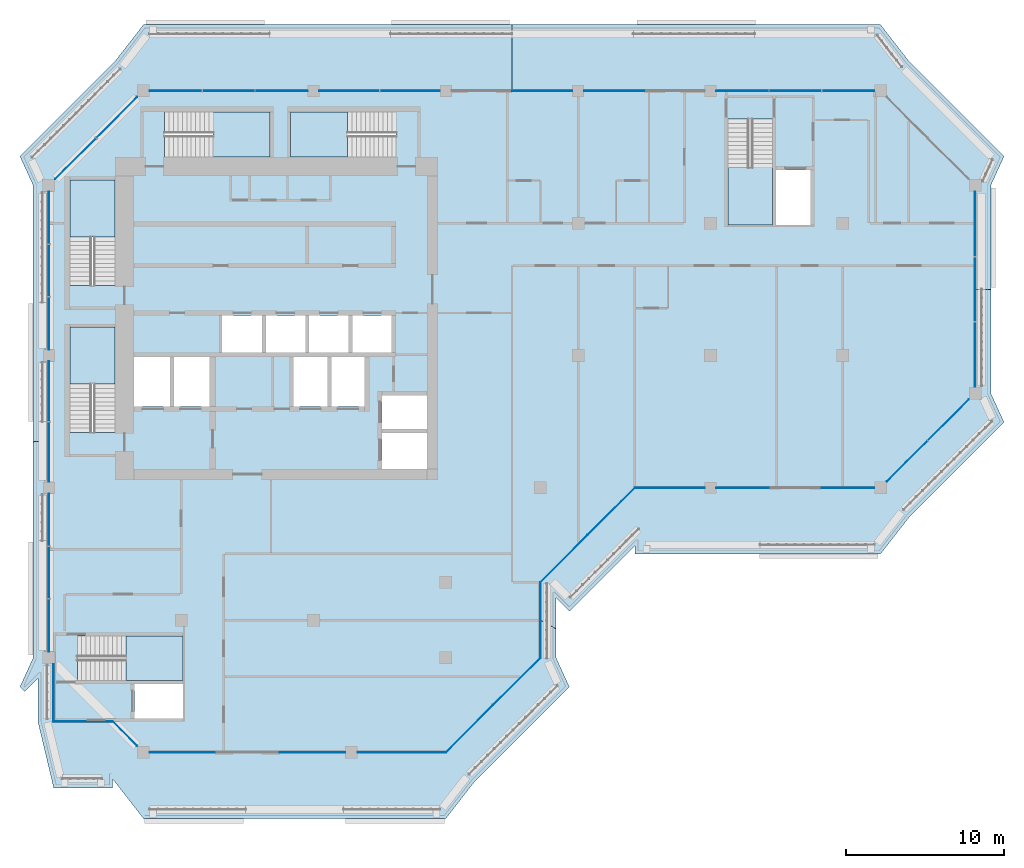
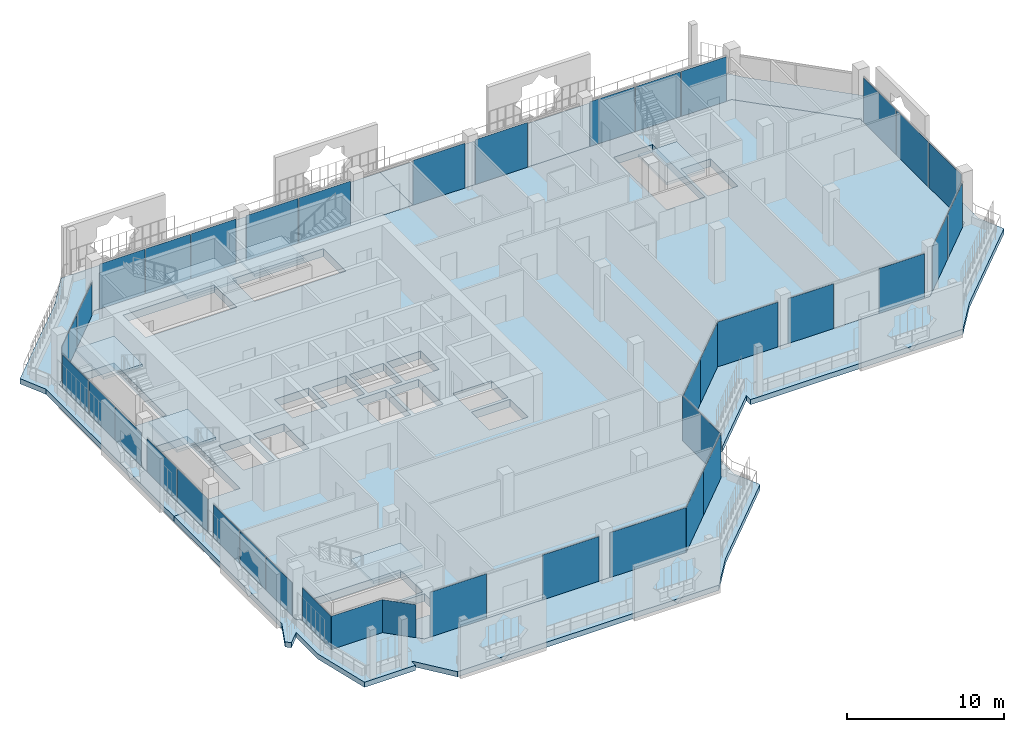
# One storey, part 9 of 21: 39 plates, 11 slabs, 19 elements without a shape of their own.
"""IFC4 building model written with IfcOpenShell, lengths in metres."""

from ifc_helpers import new_model, si_unit, direction, frame, origin, origin_2d, place, context, subcontext, project, spatial, polyline, rectangle, outline, extrude, material, layer, layer_set, type_object, element, aggregate, save


model = new_model("IFC4")

# Units and contexts
model_context = context("Model", 3, precision=1e-05, world=origin(), true_north=direction((0.0, 1.0)))
body_context = subcontext(model_context, "Body", "Model", "MODEL_VIEW")
ifc_project = project(units=[si_unit("LENGTHUNIT", "METRE"), si_unit("AREAUNIT", "SQUARE_METRE"), si_unit("VOLUMEUNIT", "CUBIC_METRE"), si_unit("PLANEANGLEUNIT", "RADIAN"), si_unit("MASSUNIT", "GRAM", prefix="KILO")], contexts=[model_context])

# Site, building, storey
site_placement = place(None, origin())
site = spatial("IfcSite", under=ifc_project, at=site_placement, CompositionType="ELEMENT")
building_placement = place(site_placement, origin())
building = spatial("IfcBuilding", under=site, at=building_placement, Name="Kawkab Arch Medical Tower", CompositionType="ELEMENT")
storey_placement = place(building_placement, frame((0.0, 0.0, 307.0)))
storey = spatial("IfcBuildingStorey", under=building, at=storey_placement, Name="L71", CompositionType="ELEMENT", Elevation=307.0)

# Curtain wall, plates
ifc_material_1 = material(Name="Bronze anodised aluminium curtain wall frame", Category="aluminium")
ifc_layer_1 = layer(ifc_material_1, 0.159912109375)
ifc_layer_set_1 = layer_set([ifc_layer_1], Name="Bronze anodised aluminium curtain wall frame")
curtain_wall_type_1 = type_object("IfcCurtainWallType", Name="CW1 ward curtain wall", PredefinedType="NOTDEFINED", material=ifc_layer_set_1)
placement_1 = place(storey_placement, origin())
curtain_wall_1 = element("IfcCurtainWall", 1, at=placement_1, inside=storey, type_object=curtain_wall_type_1, Name="CW1 Ward curtain wall R02", PredefinedType="NOTDEFINED")
ifc_material_2 = material(Name="Tinted insulating glass, bronze low-e coating", Category="glass")
ifc_layer_2 = layer(ifc_material_2, 0.031982421875)
ifc_layer_set_2 = layer_set([ifc_layer_2], Name="Tinted insulating glass, bronze low-e coating")
plate_type_1 = type_object("IfcPlateType", Name="CW1 glazing unit 32", PredefinedType="CURTAIN_PANEL", material=ifc_layer_set_2)
plate_1_placement = place(storey_placement, frame((0.0, -8.055908203125, 0.0), z_axis=(0.0, 0.0, 1.0), x_axis=(0.0, -1.0, 0.0)))
plate_1 = element("IfcPlate", 2, at=plate_1_placement, type_object=plate_type_1, Name="CW1 glazing unit 1.1", PredefinedType="CURTAIN_PANEL", context=body_context, shape_type="SweptSolid", body=[
    extrude(rectangle(XDim=3.311767578125, YDim=0.031982421875, at=origin_2d()), origin(), (0.0, 0.0, 1.0), 2.580078125),
])
plate_2_placement = place(storey_placement, frame((0.0, -11.41259765625, 0.0), z_axis=(0.0, 0.0, 1.0), x_axis=(0.0, -1.0, 0.0)))
plate_2 = element("IfcPlate", 3, at=plate_2_placement, type_object=plate_type_1, Name="CW1 glazing unit 1.2", PredefinedType="CURTAIN_PANEL", context=body_context, shape_type="SweptSolid", body=[
    extrude(rectangle(XDim=3.28173828125, YDim=0.031982421875, at=origin_2d()), origin(), (0.0, 0.0, 1.0), 2.580078125),
])
plate_3_placement = place(storey_placement, frame((0.0, -14.769287109375, 0.0), z_axis=(0.0, 0.0, 1.0), x_axis=(0.0, -1.0, 0.0)))
plate_3 = element("IfcPlate", 4, at=plate_3_placement, type_object=plate_type_1, Name="CW1 glazing unit 1.3", PredefinedType="CURTAIN_PANEL", context=body_context, shape_type="SweptSolid", body=[
    extrude(rectangle(XDim=3.311767578125, YDim=0.031982421875, at=origin_2d()), origin(), (0.0, 0.0, 1.0), 2.580078125),
])
plate_4_placement = place(storey_placement, frame((0.0, -19.072509765625, 0.0), z_axis=(0.0, 0.0, 1.0), x_axis=(0.0, -1.0, 0.0)))
plate_4 = element("IfcPlate", 5, at=plate_4_placement, type_object=plate_type_1, Name="CW1 glazing unit 2.1", PredefinedType="CURTAIN_PANEL", context=body_context, shape_type="SweptSolid", body=[
    extrude(rectangle(XDim=3.794921875, YDim=0.031982421875, at=origin_2d()), origin(), (0.0, 0.0, 1.0), 2.580078125),
])
plate_5_placement = place(storey_placement, frame((0.0, -22.927490234375, 0.0), z_axis=(0.0, 0.0, 1.0), x_axis=(0.0, -1.0, 0.0)))
plate_5 = element("IfcPlate", 6, at=plate_5_placement, type_object=plate_type_1, Name="CW1 glazing unit 2.2", PredefinedType="CURTAIN_PANEL", context=body_context, shape_type="SweptSolid", body=[
    extrude(rectangle(XDim=3.794921875, YDim=0.031982421875, at=origin_2d()), origin(), (0.0, 0.0, 1.0), 2.580078125),
])
plate_6_placement = place(storey_placement, frame((0.0, -27.230712890625, 0.0), z_axis=(0.0, 0.0, 1.0), x_axis=(0.0, -1.0, 0.0)))
plate_6 = element("IfcPlate", 7, at=plate_6_placement, type_object=plate_type_1, Name="CW1 glazing unit 3.1", PredefinedType="CURTAIN_PANEL", context=body_context, shape_type="SweptSolid", body=[
    extrude(rectangle(XDim=3.311767578125, YDim=0.031982421875, at=origin_2d()), origin(), (0.0, 0.0, 1.0), 2.580078125),
])
plate_7_placement = place(storey_placement, frame((0.0, -30.58740234375, 0.0), z_axis=(0.0, 0.0, 1.0), x_axis=(0.0, -1.0, 0.0)))
plate_7 = element("IfcPlate", 8, at=plate_7_placement, type_object=plate_type_1, Name="CW1 glazing unit 3.2", PredefinedType="CURTAIN_PANEL", context=body_context, shape_type="SweptSolid", body=[
    extrude(rectangle(XDim=3.28173828125, YDim=0.031982421875, at=origin_2d()), origin(), (0.0, 0.0, 1.0), 2.580078125),
])
plate_8_placement = place(storey_placement, frame((0.0, -33.944091796875, 0.0), z_axis=(0.0, 0.0, 1.0), x_axis=(0.0, -1.0, 0.0)))
plate_8 = element("IfcPlate", 9, at=plate_8_placement, type_object=plate_type_1, Name="CW1 glazing unit 3.3", PredefinedType="CURTAIN_PANEL", context=body_context, shape_type="SweptSolid", body=[
    extrude(rectangle(XDim=3.311767578125, YDim=0.031982421875, at=origin_2d()), origin(), (0.0, 0.0, 1.0), 2.580078125),
])
aggregate(curtain_wall_1, [plate_1, plate_2, plate_3, plate_4, plate_5, plate_6, plate_7, plate_8])

# Curtain wall, plate
curtain_wall_2 = element("IfcCurtainWall", 10, at=placement_1, inside=storey, type_object=curtain_wall_type_1, Name="CW1 Ward curtain wall R04", PredefinedType="NOTDEFINED")
plate_9_placement = place(storey_placement, frame((0.300048828125, -38.22509765625, 0.0), z_axis=(0.0, 0.0, 1.0), x_axis=(0.0, -1.0, 0.0)))
plate_9 = element("IfcPlate", 11, at=plate_9_placement, type_object=plate_type_1, Name="CW1 glazing unit 1.1", PredefinedType="CURTAIN_PANEL", context=body_context, shape_type="SweptSolid", body=[
    extrude(rectangle(XDim=3.64990234375, YDim=0.031982421875, at=origin_2d()), origin(), (0.0, 0.0, 1.0), 2.580078125),
])
aggregate(curtain_wall_2, [plate_9])

curtain_wall_3 = element("IfcCurtainWall", 12, at=placement_1, inside=storey, type_object=curtain_wall_type_1, Name="CW1 Ward curtain wall R05", PredefinedType="NOTDEFINED")
plate_10_placement = place(storey_placement, frame((2.175048828125, -40.050048828125, 0.0), z_axis=(0.0, 0.0, 1.0), x_axis=(1.0, 0.0, 0.0)))
plate_10 = element("IfcPlate", 13, at=plate_10_placement, type_object=plate_type_1, Name="CW1 glazing unit 1.1", PredefinedType="CURTAIN_PANEL", context=body_context, shape_type="SweptSolid", body=[
    extrude(rectangle(XDim=3.75, YDim=0.031982421875, at=origin_2d()), origin(), (0.0, 0.0, 1.0), 2.580078125),
])
aggregate(curtain_wall_3, [plate_10])

# Curtain wall, plates
curtain_wall_4 = element("IfcCurtainWall", 14, at=placement_1, inside=storey, type_object=curtain_wall_type_1, Name="CW1 Ward curtain wall R07", PredefinedType="NOTDEFINED")
plate_11_placement = place(storey_placement, frame((8.466552734375, -42.0, 0.0), z_axis=(0.0, 0.0, 1.0), x_axis=(1.0, 0.0, 0.0)))
plate_11 = element("IfcPlate", 15, at=plate_11_placement, type_object=plate_type_1, Name="CW1 glazing unit 1.1", PredefinedType="CURTAIN_PANEL", context=body_context, shape_type="SweptSolid", body=[
    extrude(rectangle(XDim=4.13330078125, YDim=0.031982421875, at=origin_2d()), origin(), (0.0, 0.0, 1.0), 3.47998046875),
])
plate_12_placement = place(storey_placement, frame((16.7333984375, -42.0, 0.0), z_axis=(0.0, 0.0, 1.0), x_axis=(1.0, 0.0, 0.0)))
plate_12 = element("IfcPlate", 16, at=plate_12_placement, type_object=plate_type_1, Name="CW1 glazing unit 1.3", PredefinedType="CURTAIN_PANEL", context=body_context, shape_type="SweptSolid", body=[
    extrude(rectangle(XDim=4.13330078125, YDim=0.031982421875, at=origin_2d()), origin(), (0.0, 0.0, 1.0), 3.47998046875),
])
plate_13_placement = place(storey_placement, frame((22.39990234375, -42.0, 0.0), z_axis=(0.0, 0.0, 1.0), x_axis=(1.0, 0.0, 0.0)))
plate_13 = element("IfcPlate", 17, at=plate_13_placement, type_object=plate_type_1, Name="CW1 glazing unit 2.1", PredefinedType="CURTAIN_PANEL", context=body_context, shape_type="SweptSolid", body=[
    extrude(rectangle(XDim=5.60009765625, YDim=0.031982421875, at=origin_2d()), origin(), (0.0, 0.0, 1.0), 3.47998046875),
])
aggregate(curtain_wall_4, [plate_11, plate_12, plate_13])

# Curtain wall, plate
curtain_wall_5 = element("IfcCurtainWall", 18, at=placement_1, inside=storey, type_object=curtain_wall_type_1, Name="CW1 Ward curtain wall R09", PredefinedType="NOTDEFINED")
plate_14_placement = place(storey_placement, frame((31.199951171875, -33.60009765625, 0.0), z_axis=(0.0, 0.0, 1.0), x_axis=(0.0, 1.0, 0.0)))
plate_14 = element("IfcPlate", 19, at=plate_14_placement, type_object=plate_type_1, Name="CW1 glazing unit 1.1", PredefinedType="CURTAIN_PANEL", context=body_context, shape_type="SweptSolid", body=[
    extrude(rectangle(XDim=4.800048828125, YDim=0.031982421875, at=origin_2d()), origin(), (0.0, 0.0, 1.0), 3.47998046875),
])
aggregate(curtain_wall_5, [plate_14])

# Curtain wall, plates
curtain_wall_6 = element("IfcCurtainWall", 20, at=placement_1, inside=storey, type_object=curtain_wall_type_1, Name="CW1 Ward curtain wall R11", PredefinedType="NOTDEFINED")
plate_15_placement = place(storey_placement, frame((39.41259765625, -25.199951171875, 0.0), z_axis=(0.0, 0.0, 1.0), x_axis=(1.0, 0.0, 0.0)))
plate_15 = element("IfcPlate", 21, at=plate_15_placement, type_object=plate_type_1, Name="CW1 glazing unit 1.1", PredefinedType="CURTAIN_PANEL", context=body_context, shape_type="SweptSolid", body=[
    extrude(rectangle(XDim=4.425048828125, YDim=0.031982421875, at=origin_2d()), origin(), (0.0, 0.0, 1.0), 3.47998046875),
])
plate_16_placement = place(storey_placement, frame((44.0458984375, -25.199951171875, 0.0), z_axis=(0.0, 0.0, 1.0), x_axis=(1.0, 0.0, 0.0)))
plate_16 = element("IfcPlate", 22, at=plate_16_placement, type_object=plate_type_1, Name="CW1 glazing unit 2.1", PredefinedType="CURTAIN_PANEL", context=body_context, shape_type="SweptSolid", body=[
    extrude(rectangle(XDim=3.341552734375, YDim=0.031982421875, at=origin_2d()), origin(), (0.0, 0.0, 1.0), 3.47998046875),
])
plate_17_placement = place(storey_placement, frame((50.729248046875, -25.199951171875, 0.0), z_axis=(0.0, 0.0, 1.0), x_axis=(1.0, 0.0, 0.0)))
plate_17 = element("IfcPlate", 23, at=plate_17_placement, type_object=plate_type_1, Name="CW1 glazing unit 2.3", PredefinedType="CURTAIN_PANEL", context=body_context, shape_type="SweptSolid", body=[
    extrude(rectangle(XDim=3.341552734375, YDim=0.031982421875, at=origin_2d()), origin(), (0.0, 0.0, 1.0), 3.47998046875),
])
aggregate(curtain_wall_6, [plate_15, plate_16, plate_17])

curtain_wall_7 = element("IfcCurtainWall", 24, at=placement_1, inside=storey, type_object=curtain_wall_type_1, Name="CW1 Ward curtain wall R13", PredefinedType="NOTDEFINED")
plate_18_placement = place(storey_placement, frame((58.800048828125, -16.748291015625, 0.0), z_axis=(0.0, 0.0, 1.0), x_axis=(0.0, 1.0, 0.0)))
plate_18 = element("IfcPlate", 25, at=plate_18_placement, type_object=plate_type_1, Name="CW1 glazing unit 1.1", PredefinedType="CURTAIN_PANEL", context=body_context, shape_type="SweptSolid", body=[
    extrude(rectangle(XDim=4.103271484375, YDim=0.031982421875, at=origin_2d()), origin(), (0.0, 0.0, 1.0), 3.47998046875),
])
plate_19_placement = place(storey_placement, frame((58.800048828125, -12.60009765625, 0.0), z_axis=(0.0, 0.0, 1.0), x_axis=(0.0, 1.0, 0.0)))
plate_19 = element("IfcPlate", 26, at=plate_19_placement, type_object=plate_type_1, Name="CW1 glazing unit 1.2", PredefinedType="CURTAIN_PANEL", context=body_context, shape_type="SweptSolid", body=[
    extrude(rectangle(XDim=4.0732421875, YDim=0.031982421875, at=origin_2d()), origin(), (0.0, 0.0, 1.0), 3.47998046875),
])
plate_20_placement = place(storey_placement, frame((58.800048828125, -8.45166015625, 0.0), z_axis=(0.0, 0.0, 1.0), x_axis=(0.0, 1.0, 0.0)))
plate_20 = element("IfcPlate", 27, at=plate_20_placement, type_object=plate_type_1, Name="CW1 glazing unit 1.3", PredefinedType="CURTAIN_PANEL", context=body_context, shape_type="SweptSolid", body=[
    extrude(rectangle(XDim=4.103271484375, YDim=0.031982421875, at=origin_2d()), origin(), (0.0, 0.0, 1.0), 3.47998046875),
])
aggregate(curtain_wall_7, [plate_18, plate_19, plate_20])

curtain_wall_8 = element("IfcCurtainWall", 28, at=placement_1, inside=storey, type_object=curtain_wall_type_1, Name="CW1 Ward curtain wall R15", PredefinedType="NOTDEFINED")
plate_21_placement = place(storey_placement, frame((50.744140625, 0.0, 0.0), z_axis=(0.0, 0.0, 1.0), x_axis=(-1.0, 0.0, 0.0)))
plate_21 = element("IfcPlate", 29, at=plate_21_placement, type_object=plate_type_1, Name="CW1 glazing unit 1.1", PredefinedType="CURTAIN_PANEL", context=body_context, shape_type="SweptSolid", body=[
    extrude(rectangle(XDim=3.311767578125, YDim=0.031982421875, at=origin_2d()), origin(), (0.0, 0.0, 1.0), 3.47998046875),
])
plate_22_placement = place(storey_placement, frame((47.387451171875, 0.0, 0.0), z_axis=(0.0, 0.0, 1.0), x_axis=(-1.0, 0.0, 0.0)))
plate_22 = element("IfcPlate", 30, at=plate_22_placement, type_object=plate_type_1, Name="CW1 glazing unit 1.2", PredefinedType="CURTAIN_PANEL", context=body_context, shape_type="SweptSolid", body=[
    extrude(rectangle(XDim=3.28173828125, YDim=0.031982421875, at=origin_2d()), origin(), (0.0, 0.0, 1.0), 3.47998046875),
])
plate_23_placement = place(storey_placement, frame((44.03076171875, 0.0, 0.0), z_axis=(0.0, 0.0, 1.0), x_axis=(-1.0, 0.0, 0.0)))
plate_23 = element("IfcPlate", 31, at=plate_23_placement, type_object=plate_type_1, Name="CW1 glazing unit 1.3", PredefinedType="CURTAIN_PANEL", context=body_context, shape_type="SweptSolid", body=[
    extrude(rectangle(XDim=3.311767578125, YDim=0.031982421875, at=origin_2d()), origin(), (0.0, 0.0, 1.0), 3.47998046875),
])
plate_24_placement = place(storey_placement, frame((35.887451171875, 0.0, 0.0), z_axis=(0.0, 0.0, 1.0), x_axis=(-1.0, 0.0, 0.0)))
plate_24 = element("IfcPlate", 32, at=plate_24_placement, type_object=plate_type_1, Name="CW1 glazing unit 2.2", PredefinedType="CURTAIN_PANEL", context=body_context, shape_type="SweptSolid", body=[
    extrude(rectangle(XDim=3.824951171875, YDim=0.031982421875, at=origin_2d()), origin(), (0.0, 0.0, 1.0), 3.47998046875),
])
plate_25_placement = place(storey_placement, frame((31.3125, 0.0, 0.0), z_axis=(0.0, 0.0, 1.0), x_axis=(-1.0, 0.0, 0.0)))
plate_25 = element("IfcPlate", 33, at=plate_25_placement, type_object=plate_type_1, Name="CW1 glazing unit 3.1", PredefinedType="CURTAIN_PANEL", context=body_context, shape_type="SweptSolid", body=[
    extrude(rectangle(XDim=3.824951171875, YDim=0.031982421875, at=origin_2d()), origin(), (0.0, 0.0, 1.0), 3.47998046875),
])
plate_26_placement = place(storey_placement, frame((22.927490234375, 0.0, 0.0), z_axis=(0.0, 0.0, 1.0), x_axis=(-1.0, 0.0, 0.0)))
plate_26 = element("IfcPlate", 34, at=plate_26_placement, type_object=plate_type_1, Name="CW1 glazing unit 4.1", PredefinedType="CURTAIN_PANEL", context=body_context, shape_type="SweptSolid", body=[
    extrude(rectangle(XDim=3.794921875, YDim=0.031982421875, at=origin_2d()), origin(), (0.0, 0.0, 1.0), 3.47998046875),
])
plate_27_placement = place(storey_placement, frame((19.072509765625, 0.0, 0.0), z_axis=(0.0, 0.0, 1.0), x_axis=(-1.0, 0.0, 0.0)))
plate_27 = element("IfcPlate", 35, at=plate_27_placement, type_object=plate_type_1, Name="CW1 glazing unit 4.2", PredefinedType="CURTAIN_PANEL", context=body_context, shape_type="SweptSolid", body=[
    extrude(rectangle(XDim=3.794921875, YDim=0.031982421875, at=origin_2d()), origin(), (0.0, 0.0, 1.0), 3.47998046875),
])
plate_28_placement = place(storey_placement, frame((14.769287109375, 0.0, 0.0), z_axis=(0.0, 0.0, 1.0), x_axis=(-1.0, 0.0, 0.0)))
plate_28 = element("IfcPlate", 36, at=plate_28_placement, type_object=plate_type_1, Name="CW1 glazing unit 5.1", PredefinedType="CURTAIN_PANEL", context=body_context, shape_type="SweptSolid", body=[
    extrude(rectangle(XDim=3.311767578125, YDim=0.031982421875, at=origin_2d()), origin(), (0.0, 0.0, 1.0), 3.47998046875),
])
plate_29_placement = place(storey_placement, frame((11.41259765625, 0.0, 0.0), z_axis=(0.0, 0.0, 1.0), x_axis=(-1.0, 0.0, 0.0)))
plate_29 = element("IfcPlate", 37, at=plate_29_placement, type_object=plate_type_1, Name="CW1 glazing unit 5.2", PredefinedType="CURTAIN_PANEL", context=body_context, shape_type="SweptSolid", body=[
    extrude(rectangle(XDim=3.28173828125, YDim=0.031982421875, at=origin_2d()), origin(), (0.0, 0.0, 1.0), 3.47998046875),
])
plate_30_placement = place(storey_placement, frame((8.055908203125, 0.0, 0.0), z_axis=(0.0, 0.0, 1.0), x_axis=(-1.0, 0.0, 0.0)))
plate_30 = element("IfcPlate", 38, at=plate_30_placement, type_object=plate_type_1, Name="CW1 glazing unit 5.3", PredefinedType="CURTAIN_PANEL", context=body_context, shape_type="SweptSolid", body=[
    extrude(rectangle(XDim=3.311767578125, YDim=0.031982421875, at=origin_2d()), origin(), (0.0, 0.0, 1.0), 3.47998046875),
])
aggregate(curtain_wall_8, [plate_21, plate_22, plate_23, plate_24, plate_25, plate_26, plate_27, plate_28, plate_29, plate_30])

ifc_material_3 = material(Name="Bronze anodised aluminium curtain wall frame", Category="aluminium")
ifc_layer_3 = layer(ifc_material_3, 0.159912109375)
ifc_layer_set_3 = layer_set([ifc_layer_3], Name="Bronze anodised aluminium curtain wall frame")
curtain_wall_type_2 = type_object("IfcCurtainWallType", Name="CW2 chamfer curtain wall", PredefinedType="NOTDEFINED", material=ifc_layer_set_3)
curtain_wall_9 = element("IfcCurtainWall", 39, at=placement_1, inside=storey, type_object=curtain_wall_type_2, Name="CW2 Chamfer curtain wall R01", PredefinedType="NOTDEFINED")
ifc_material_4 = material(Name="Tinted insulating glass, bronze low-e coating", Category="glass")
ifc_layer_4 = layer(ifc_material_4, 0.031982421875)
ifc_layer_set_4 = layer_set([ifc_layer_4], Name="Tinted insulating glass, bronze low-e coating")
plate_type_2 = type_object("IfcPlateType", Name="CW2 glazing unit 32", PredefinedType="CURTAIN_PANEL", material=ifc_layer_set_4)
plate_31_placement = place(storey_placement, frame((4.310546875, -1.689453125, 0.0), z_axis=(0.0, 0.0, 1.0), x_axis=(-0.707106781187, -0.707106781187, 0.0)))
plate_31 = element("IfcPlate", 40, at=plate_31_placement, type_object=plate_type_2, Name="CW2 glazing unit 1.1", PredefinedType="CURTAIN_PANEL", context=body_context, shape_type="SweptSolid", body=[
    extrude(rectangle(XDim=3.64697265625, YDim=0.031982421875, at=origin_2d()), origin(), (0.0, 0.0, 1.0), 2.56005859375),
])
plate_32_placement = place(storey_placement, frame((1.689453125, -4.310546875, 0.0), z_axis=(0.0, 0.0, 1.0), x_axis=(-0.707106781187, -0.707106781187, 0.0)))
plate_32 = element("IfcPlate", 41, at=plate_32_placement, type_object=plate_type_2, Name="CW2 glazing unit 1.2", PredefinedType="CURTAIN_PANEL", context=body_context, shape_type="SweptSolid", body=[
    extrude(rectangle(XDim=3.64697265625, YDim=0.031982421875, at=origin_2d()), origin(), (0.0, 0.0, 1.0), 2.56005859375),
])
aggregate(curtain_wall_9, [plate_31, plate_32])

# Curtain wall, plate
curtain_wall_10 = element("IfcCurtainWall", 42, at=placement_1, inside=storey, type_object=curtain_wall_type_2, Name="CW2 Chamfer curtain wall R06", PredefinedType="NOTDEFINED")
plate_33_placement = place(storey_placement, frame((4.824951171875, -40.824951171875, 0.0), z_axis=(0.0, 0.0, 1.0), x_axis=(0.707106781187, -0.707106781187, 0.0)))
plate_33 = element("IfcPlate", 43, at=plate_33_placement, type_object=plate_type_2, Name="CW2 glazing unit 1.1", PredefinedType="CURTAIN_PANEL", context=body_context, shape_type="SweptSolid", body=[
    extrude(rectangle(XDim=2.192138671875, YDim=0.031982421875, at=origin_2d()), origin(), (0.0, 0.0, 1.0), 2.56005859375),
])
aggregate(curtain_wall_10, [plate_33])

# Curtain wall, plates
curtain_wall_11 = element("IfcCurtainWall", 44, at=placement_1, inside=storey, type_object=curtain_wall_type_2, Name="CW2 Chamfer curtain wall R08", PredefinedType="NOTDEFINED")
plate_34_placement = place(storey_placement, frame((26.699951171875, -40.5, 0.0), z_axis=(0.0, 0.0, 1.0), x_axis=(0.707106781187, 0.707106781187, 0.0)))
plate_34 = element("IfcPlate", 45, at=plate_34_placement, type_object=plate_type_2, Name="CW2 glazing unit 1.1", PredefinedType="CURTAIN_PANEL", context=body_context, shape_type="SweptSolid", body=[
    extrude(rectangle(XDim=4.24267578125, YDim=0.031982421875, at=origin_2d()), origin(), (0.0, 0.0, 1.0), 3.4599609375),
])
plate_35_placement = place(storey_placement, frame((29.699951171875, -37.5, 0.0), z_axis=(0.0, 0.0, 1.0), x_axis=(0.707106781187, 0.707106781187, 0.0)))
plate_35 = element("IfcPlate", 46, at=plate_35_placement, type_object=plate_type_2, Name="CW2 glazing unit 2.1", PredefinedType="CURTAIN_PANEL", context=body_context, shape_type="SweptSolid", body=[
    extrude(rectangle(XDim=4.24267578125, YDim=0.031982421875, at=origin_2d()), origin(), (0.0, 0.0, 1.0), 3.4599609375),
])
aggregate(curtain_wall_11, [plate_34, plate_35])

curtain_wall_12 = element("IfcCurtainWall", 47, at=placement_1, inside=storey, type_object=curtain_wall_type_2, Name="CW2 Chamfer curtain wall R10", PredefinedType="NOTDEFINED")
plate_36_placement = place(storey_placement, frame((32.699951171875, -29.699951171875, 0.0), z_axis=(0.0, 0.0, 1.0), x_axis=(0.707106781187, 0.707106781187, 0.0)))
plate_36 = element("IfcPlate", 48, at=plate_36_placement, type_object=plate_type_2, Name="CW2 glazing unit 1.1", PredefinedType="CURTAIN_PANEL", context=body_context, shape_type="SweptSolid", body=[
    extrude(rectangle(XDim=4.24267578125, YDim=0.031982421875, at=origin_2d()), origin(), (0.0, 0.0, 1.0), 3.4599609375),
])
plate_37_placement = place(storey_placement, frame((35.699951171875, -26.699951171875, 0.0), z_axis=(0.0, 0.0, 1.0), x_axis=(0.707106781187, 0.707106781187, 0.0)))
plate_37 = element("IfcPlate", 49, at=plate_37_placement, type_object=plate_type_2, Name="CW2 glazing unit 2.1", PredefinedType="CURTAIN_PANEL", context=body_context, shape_type="SweptSolid", body=[
    extrude(rectangle(XDim=4.24267578125, YDim=0.031982421875, at=origin_2d()), origin(), (0.0, 0.0, 1.0), 3.4599609375),
])
aggregate(curtain_wall_12, [plate_36, plate_37])

curtain_wall_13 = element("IfcCurtainWall", 50, at=placement_1, inside=storey, type_object=curtain_wall_type_2, Name="CW2 Chamfer curtain wall R12", PredefinedType="NOTDEFINED")
plate_38_placement = place(storey_placement, frame((54.489501953125, -23.510498046875, 0.0), z_axis=(0.0, 0.0, 1.0), x_axis=(0.707106781187, 0.707106781187, 0.0)))
plate_38 = element("IfcPlate", 51, at=plate_38_placement, type_object=plate_type_2, Name="CW2 glazing unit 1.1", PredefinedType="CURTAIN_PANEL", context=body_context, shape_type="SweptSolid", body=[
    extrude(rectangle(XDim=3.64697265625, YDim=0.031982421875, at=origin_2d()), origin(), (0.0, 0.0, 1.0), 3.4599609375),
])
plate_39_placement = place(storey_placement, frame((57.110595703125, -20.889404296875, 0.0), z_axis=(0.0, 0.0, 1.0), x_axis=(0.707106781187, 0.707106781187, 0.0)))
plate_39 = element("IfcPlate", 52, at=plate_39_placement, type_object=plate_type_2, Name="CW2 glazing unit 1.2", PredefinedType="CURTAIN_PANEL", context=body_context, shape_type="SweptSolid", body=[
    extrude(rectangle(XDim=3.64697265625, YDim=0.031982421875, at=origin_2d()), origin(), (0.0, 0.0, 1.0), 3.4599609375),
])
aggregate(curtain_wall_13, [plate_38, plate_39])

# Stair, slab
ifc_material_5 = material(Name="Concrete C40/50", Category="concrete")
stair_type = type_object("IfcStairType", Name="Exit stair 1350", PredefinedType="HALF_TURN_STAIR", material=ifc_material_5)
stair_1 = element("IfcStair", 53, at=placement_1, inside=storey, type_object=stair_type, Name="L71 Exit stair ST1", PredefinedType="HALF_TURN_STAIR")
ifc_material_6 = material(Name="Concrete C40/50", Category="concrete")
ifc_layer_5 = layer(ifc_material_6, 0.199951171875)
ifc_layer_set_5 = layer_set([ifc_layer_5], Name="Concrete C40/50")
slab_type_1 = type_object("IfcSlabType", Name="Exit stair landing 200", PredefinedType="LANDING", material=ifc_layer_set_5)
placement_2 = place(storey_placement, frame((0.0, 0.0, 1.89990234375)))
slab_1 = element("IfcSlab", 54, at=placement_2, type_object=slab_type_1, Name="ST1 landing 1", PredefinedType="LANDING", context=body_context, shape_type="SweptSolid", body=[
    extrude(outline(polyline([(4.199951171875, -9.27001953125), (4.199951171875, -5.64990234375), (1.35009765625, -5.64990234375), (1.35009765625, -9.27001953125), (4.199951171875, -9.27001953125)])), origin(), (0.0, 0.0, 1.0), 0.2001953125),
])
aggregate(stair_1, [slab_1])

stair_2 = element("IfcStair", 55, at=placement_1, inside=storey, type_object=stair_type, Name="L71 Exit stair ST2", PredefinedType="HALF_TURN_STAIR")
slab_2 = element("IfcSlab", 56, at=placement_2, type_object=slab_type_1, Name="ST2 landing 1", PredefinedType="LANDING", context=body_context, shape_type="SweptSolid", body=[
    extrude(outline(polyline([(4.199951171875, -18.6201171875), (4.199951171875, -15.0), (1.35009765625, -15.0), (1.35009765625, -18.6201171875), (4.199951171875, -18.6201171875)])), origin(), (0.0, 0.0, 1.0), 0.2001953125),
])
aggregate(stair_2, [slab_2])

stair_3 = element("IfcStair", 57, at=placement_1, inside=storey, type_object=stair_type, Name="L71 Exit stair ST3", PredefinedType="HALF_TURN_STAIR")
slab_3 = element("IfcSlab", 58, at=placement_2, type_object=slab_type_1, Name="ST3 landing 1", PredefinedType="LANDING", context=body_context, shape_type="SweptSolid", body=[
    extrude(outline(polyline([(10.429931640625, -4.199951171875), (14.050048828125, -4.199951171875), (14.050048828125, -1.35009765625), (10.429931640625, -1.35009765625), (10.429931640625, -4.199951171875)])), origin(), (0.0, 0.0, 1.0), 0.2001953125),
])
aggregate(stair_3, [slab_3])

stair_4 = element("IfcStair", 59, at=placement_1, inside=storey, type_object=stair_type, Name="L71 Exit stair ST4", PredefinedType="HALF_TURN_STAIR")
slab_4 = element("IfcSlab", 60, at=placement_2, type_object=slab_type_1, Name="ST4 landing 1", PredefinedType="LANDING", context=body_context, shape_type="SweptSolid", body=[
    extrude(outline(polyline([(18.969970703125, -1.35009765625), (15.35009765625, -1.35009765625), (15.35009765625, -4.199951171875), (18.969970703125, -4.199951171875), (18.969970703125, -1.35009765625)])), origin(), (0.0, 0.0, 1.0), 0.2001953125),
])
aggregate(stair_4, [slab_4])

stair_5 = element("IfcStair", 61, at=placement_1, inside=storey, type_object=stair_type, Name="L71 Exit stair ST5", PredefinedType="HALF_TURN_STAIR")
slab_5 = element("IfcSlab", 62, at=placement_2, type_object=slab_type_1, Name="ST5 landing 1", PredefinedType="LANDING", context=body_context, shape_type="SweptSolid", body=[
    extrude(outline(polyline([(43.10009765625, -4.8798828125), (43.10009765625, -8.5), (45.949951171875, -8.5), (45.949951171875, -4.8798828125), (43.10009765625, -4.8798828125)])), origin(), (0.0, 0.0, 1.0), 0.2001953125),
])
aggregate(stair_5, [slab_5])

stair_6 = element("IfcStair", 63, at=placement_1, inside=storey, type_object=stair_type, Name="L71 Exit stair ST6", PredefinedType="HALF_TURN_STAIR")
slab_6 = element("IfcSlab", 64, at=placement_2, type_object=slab_type_1, Name="ST6 landing 1", PredefinedType="LANDING", context=body_context, shape_type="SweptSolid", body=[
    extrude(outline(polyline([(4.8798828125, -37.449951171875), (8.5, -37.449951171875), (8.5, -34.60009765625), (4.8798828125, -34.60009765625), (4.8798828125, -37.449951171875)])), origin(), (0.0, 0.0, 1.0), 0.2001953125),
])
aggregate(stair_6, [slab_6])

# Slabs
ifc_material_7 = material(Name="Concrete C45/55", Category="concrete")
ifc_layer_6 = layer(ifc_material_7, 0.60009765625)
ifc_layer_set_6 = layer_set([ifc_layer_6], Name="Concrete C45/55")
slab_type_2 = type_object("IfcSlabType", Name="Flat plate 600 C45/55", PredefinedType="FLOOR", material=ifc_layer_set_6)
slab_7_placement = place(storey_placement, frame((0.0, 0.0, -0.60009765625)))
element("IfcSlab", 65, at=slab_7_placement, inside=storey, type_object=slab_type_2, Name="Floor slab L71", PredefinedType="FLOOR", context=body_context, shape_type="SweptSolid", body=[
    extrude(outline(polyline([(52.800048828125, 0.0), (58.800048828125, -6.0), (58.800048828125, -19.199951171875), (52.800048828125, -25.199951171875), (37.199951171875, -25.199951171875), (31.199951171875, -31.199951171875), (31.199951171875, -36.0), (25.199951171875, -42.0), (6.0, -42.0), (4.050048828125, -40.050048828125), (0.300048828125, -40.050048828125), (0.300048828125, -36.300048828125), (0.0, -36.0), (0.0, -6.0), (6.0, 0.0), (52.800048828125, 0.0)]), holes=[polyline([(5.425048828125, -37.64990234375), (5.425048828125, -39.85009765625), (8.5, -39.85009765625), (8.5, -37.64990234375), (5.425048828125, -37.64990234375)]), polyline([(8.5, -37.449951171875), (8.5, -34.60009765625), (1.800048828125, -34.60009765625), (1.800048828125, -37.449951171875), (8.5, -37.449951171875)]), polyline([(5.39990234375, -20.050048828125), (7.675048828125, -20.050048828125), (7.675048828125, -16.89990234375), (5.39990234375, -16.89990234375), (5.39990234375, -20.050048828125)]), polyline([(10.199951171875, -16.89990234375), (7.925048828125, -16.89990234375), (7.925048828125, -20.050048828125), (10.199951171875, -20.050048828125), (10.199951171875, -16.89990234375)]), polyline([(4.199951171875, -15.0), (1.35009765625, -15.0), (1.35009765625, -21.699951171875), (4.199951171875, -21.699951171875), (4.199951171875, -15.0)]), polyline([(13.52490234375, -16.60009765625), (13.52490234375, -14.25), (11.0, -14.25), (11.0, -16.60009765625), (13.52490234375, -16.60009765625)]), polyline([(13.77490234375, -14.25), (13.77490234375, -16.60009765625), (16.27490234375, -16.60009765625), (16.27490234375, -14.25), (13.77490234375, -14.25)]), polyline([(4.199951171875, -12.35009765625), (4.199951171875, -5.64990234375), (1.35009765625, -5.64990234375), (1.35009765625, -12.35009765625), (4.199951171875, -12.35009765625)]), polyline([(7.35009765625, -4.199951171875), (14.050048828125, -4.199951171875), (14.050048828125, -1.35009765625), (7.35009765625, -1.35009765625), (7.35009765625, -4.199951171875)]), polyline([(24.0, -21.72509765625), (21.14990234375, -21.72509765625), (21.14990234375, -24.0), (24.0, -24.0), (24.0, -21.72509765625)]), polyline([(24.0, -19.35009765625), (21.14990234375, -19.35009765625), (21.14990234375, -21.47509765625), (24.0, -21.47509765625), (24.0, -19.35009765625)]), polyline([(15.52490234375, -16.89990234375), (15.52490234375, -20.050048828125), (17.675048828125, -20.050048828125), (17.675048828125, -16.89990234375), (15.52490234375, -16.89990234375)]), polyline([(17.925048828125, -16.89990234375), (17.925048828125, -20.050048828125), (20.050048828125, -20.050048828125), (20.050048828125, -16.89990234375), (17.925048828125, -16.89990234375)]), polyline([(19.02490234375, -14.25), (16.52490234375, -14.25), (16.52490234375, -16.60009765625), (19.02490234375, -16.60009765625), (19.02490234375, -14.25)]), polyline([(21.75, -14.25), (19.27490234375, -14.25), (19.27490234375, -16.60009765625), (21.75, -16.60009765625), (21.75, -14.25)]), polyline([(46.14990234375, -8.5), (48.35009765625, -8.5), (48.35009765625, -5.02490234375), (46.14990234375, -5.02490234375), (46.14990234375, -8.5)]), polyline([(43.10009765625, -1.800048828125), (43.10009765625, -8.5), (45.949951171875, -8.5), (45.949951171875, -1.800048828125), (43.10009765625, -1.800048828125)]), polyline([(22.050048828125, -1.35009765625), (15.35009765625, -1.35009765625), (15.35009765625, -4.199951171875), (22.050048828125, -4.199951171875), (22.050048828125, -1.35009765625)])]), origin(), (0.0, 0.0, 1.0), 0.60009765625),
])
ifc_material_8 = material(Name="Concrete C40/50", Category="concrete")
ifc_layer_7 = layer(ifc_material_8, 0.39990234375)
ifc_layer_set_7 = layer_set([ifc_layer_7], Name="Concrete C40/50")
slab_type_3 = type_object("IfcSlabType", Name="Loggia slab 400", PredefinedType="FLOOR", material=ifc_layer_set_7)
placement_3 = place(storey_placement, frame((0.0, 0.0, -0.39990234375)))
element("IfcSlab", 66, at=placement_3, inside=storey, type_object=slab_type_3, Name="Loggia slab L71.1", PredefinedType="FLOOR", context=body_context, shape_type="SweptSolid", body=[
    extrude(outline(polyline([(-1.0, -36.0), (-1.0, -22.280029296875), (-0.0009765625, -22.22705078125), (-0.0009765625, -36.0), (0.0, -36.0), (0.299072265625, -36.300048828125), (0.299072265625, -40.050048828125), (4.050048828125, -40.050048828125), (6.0, -42.0), (6.0, -42.0009765625), (25.199951171875, -42.0009765625), (25.199951171875, -42.0), (31.199951171875, -36.0), (31.199951171875, -33.60107421875), (32.199951171875, -34.156005859375), (32.199951171875, -36.0), (33.0380859375, -37.837890625), (27.0380859375, -43.837890625), (25.199951171875, -46.199951171875), (6.0, -46.199951171875), (4.162109375, -43.837890625), (4.050048828125, -43.72607421875), (4.050048828125, -44.25), (0.300048828125, -44.25), (-0.699951171875, -40.050048828125), (-0.699951171875, -37.299072265625), (-1.5380859375, -38.136962890625), (-1.837890625, -37.837890625), (-1.0, -36.0)])), origin(), (0.0, 0.0, 1.0), 0.39990234375),
])
element("IfcSlab", 67, at=placement_3, inside=storey, type_object=slab_type_3, Name="Loggia slab L71.2", PredefinedType="FLOOR", context=body_context, shape_type="SweptSolid", body=[
    extrude(outline(polyline([(31.199951171875, -31.199951171875), (37.199951171875, -25.199951171875), (52.800048828125, -25.199951171875), (58.800048828125, -19.199951171875), (58.800048828125, -12.60009765625), (59.800048828125, -12.60009765625), (59.800048828125, -19.199951171875), (60.637939453125, -21.0380859375), (54.637939453125, -27.0380859375), (52.800048828125, -29.39990234375), (37.199951171875, -29.39990234375), (37.199951171875, -28.8759765625), (33.0380859375, -33.037109375), (32.199951171875, -32.198974609375), (32.199951171875, -34.155029296875), (31.199951171875, -33.60009765625), (31.199951171875, -31.199951171875)])), origin(), (0.0, 0.0, 1.0), 0.39990234375),
])
element("IfcSlab", 68, at=placement_3, inside=storey, type_object=slab_type_3, Name="Loggia slab L71.3", PredefinedType="FLOOR", context=body_context, shape_type="SweptSolid", body=[
    extrude(outline(polyline([(-1.837890625, -4.162109375), (4.162109375, 1.837890625), (6.0, 4.199951171875), (29.39990234375, 4.199951171875), (29.39990234375, 0.0009765625), (6.0, 0.0009765625), (6.0, 0.0), (0.0, -6.0), (-0.0009765625, -6.0), (-0.0009765625, -22.22607421875), (-1.0, -22.279052734375), (-1.0, -6.0), (-1.837890625, -4.162109375)])), origin(), (0.0, 0.0, 1.0), 0.39990234375),
])
element("IfcSlab", 69, at=placement_3, inside=storey, type_object=slab_type_3, Name="Loggia slab L71.4", PredefinedType="FLOOR", context=body_context, shape_type="SweptSolid", body=[
    extrude(outline(polyline([(54.637939453125, 1.837890625), (60.637939453125, -4.162109375), (59.800048828125, -6.0), (59.800048828125, -12.60009765625), (58.800048828125, -12.60009765625), (58.800048828125, -6.0), (52.800048828125, 0.0), (52.800048828125, 0.0009765625), (29.39990234375, 0.0009765625), (29.39990234375, 4.199951171875), (52.800048828125, 4.199951171875), (54.637939453125, 1.837890625)])), origin(), (0.0, 0.0, 1.0), 0.39990234375),
])

save(model, "model.ifc")
